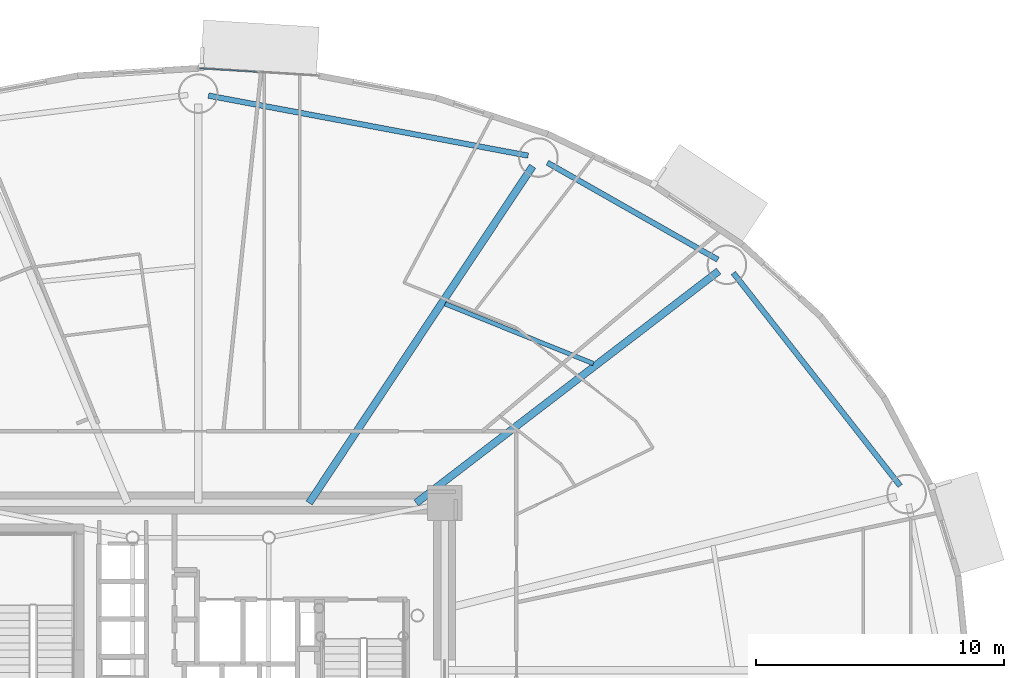
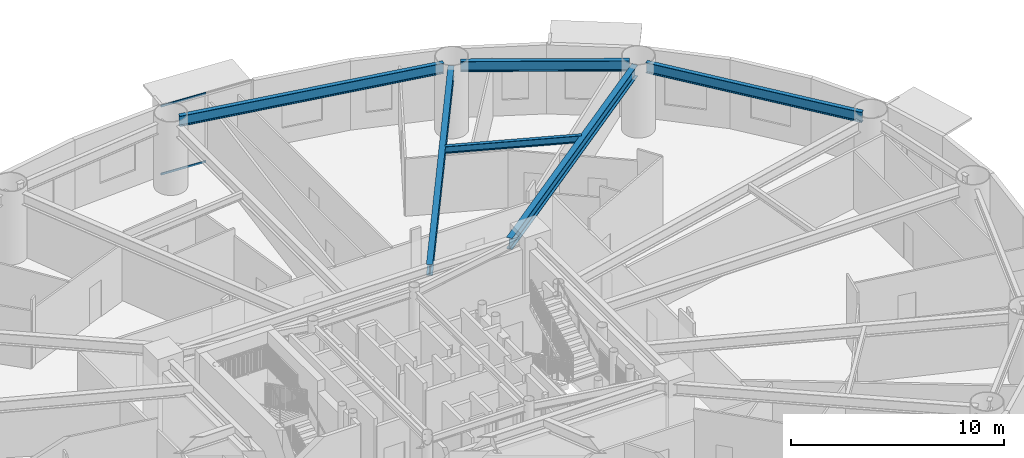
# One storey, part 5 of 21: 6 beams, 2 members, 1 element without a shape of its own.
"""IFC4 building model written with IfcOpenShell, lengths in metres."""

from ifc_helpers import new_model, si_unit, direction, frame, origin, origin_2d, place, context, subcontext, project, spatial, hollow_rectangle, i_section, extrude, source, transform, mapped, material, layer, layer_set, material_profile, profile_set, type_object, element, aggregate, save


model = new_model("IFC4")

# Units and contexts
model_context = context("Model", 3, precision=1e-05, world=origin(), true_north=direction((0.0, 1.0)))
body_context = subcontext(model_context, "Body", "Model", "MODEL_VIEW")
ifc_project = project(units=[si_unit("LENGTHUNIT", "METRE"), si_unit("AREAUNIT", "SQUARE_METRE"), si_unit("VOLUMEUNIT", "CUBIC_METRE"), si_unit("PLANEANGLEUNIT", "RADIAN"), si_unit("MASSUNIT", "GRAM", prefix="KILO")], contexts=[model_context])

# Site, building, storey
site_placement = place(None, origin())
site = spatial("IfcSite", under=ifc_project, at=site_placement, CompositionType="ELEMENT")
building_placement = place(site_placement, origin())
building = spatial("IfcBuilding", under=site, at=building_placement, Name="Linh Dai School and Residence Tower", CompositionType="ELEMENT")
storey_placement = place(building_placement, frame((0.0, 0.0, 61.800048828125)))
storey = spatial("IfcBuildingStorey", under=building, at=storey_placement, Name="L14", CompositionType="ELEMENT", Elevation=61.800048828125)

# Beams
ifc_material_1 = material(Name="Structural Steel S355JR", Category="steel")
ifc_material_profile_1 = material_profile(ifc_material_1, i_section(OverallWidth=0.219970703125, OverallDepth=0.60009765625, WebThickness=0.011962890625, FlangeThickness=0.01904296875, FilletRadius=0.02392578125, at=origin_2d()), Name="IPE 600")
ifc_profile_set_1 = profile_set([ifc_material_profile_1], Name="Structural Steel S355JR")
beam_type_1 = type_object("IfcBeamType", Name="BM-RB60", PredefinedType="BEAM", material=ifc_profile_set_1)
beam_1_placement = place(storey_placement, frame((64.351806640625, 34.439208984375, 3.64990234375), z_axis=(-0.616878670407, 0.787058260866, 0.0), x_axis=(-0.787058260866, -0.616878670407, 0.0)))
element("IfcBeam", 1, at=beam_1_placement, inside=storey, type_object=beam_type_1, Name="L14 Perimeter Elliptical Ring Beam 02", PredefinedType="BEAM", context=body_context, shape_type="SweptSolid", body=[
    extrude(i_section(OverallWidth=0.219970703125, OverallDepth=0.60009765625, WebThickness=0.011962890625, FlangeThickness=0.01904296875, FilletRadius=0.02392578125, at=origin_2d()), origin(), (0.0, 0.0, 1.0), 10.926025390625),
])
beam_2_placement = place(storey_placement, frame((56.987548828125, 43.57666015625, 3.64990234375), z_axis=(-0.869271416992, 0.494335112653, 0.0), x_axis=(-0.494335112653, -0.869271416992, 0.0)))
element("IfcBeam", 2, at=beam_2_placement, inside=storey, type_object=beam_type_1, Name="L14 Perimeter Elliptical Ring Beam 03", PredefinedType="BEAM", context=body_context, shape_type="SweptSolid", body=[
    extrude(i_section(OverallWidth=0.219970703125, OverallDepth=0.60009765625, WebThickness=0.011962890625, FlangeThickness=0.01904296875, FilletRadius=0.02392578125, at=origin_2d()), origin(), (0.0, 0.0, 1.0), 7.91943359375),
])
beam_3_placement = place(storey_placement, frame((49.32568359375, 47.776611328125, 3.64990234375), z_axis=(-0.982808389171, 0.184628465236, 0.0), x_axis=(-0.184628465236, -0.982808389171, 0.0)))
element("IfcBeam", 3, at=beam_3_placement, inside=storey, type_object=beam_type_1, Name="L14 Perimeter Elliptical Ring Beam 04", PredefinedType="BEAM", context=body_context, shape_type="SweptSolid", body=[
    extrude(i_section(OverallWidth=0.219970703125, OverallDepth=0.60009765625, WebThickness=0.011962890625, FlangeThickness=0.01904296875, FilletRadius=0.02392578125, at=origin_2d()), origin(), (0.0, 0.0, 1.0), 13.138671875),
])
ifc_material_profile_2 = material_profile(ifc_material_1, i_section(OverallWidth=0.300048828125, OverallDepth=0.64990234375, WebThickness=0.01611328125, FlangeThickness=0.031005859375, FilletRadius=0.027099609375, at=origin_2d()), Name="HEB 650")
ifc_profile_set_2 = profile_set([ifc_material_profile_2], Name="Structural Steel S355JR")
beam_type_2 = type_object("IfcBeamType", Name="BM-RG65", PredefinedType="BEAM", material=ifc_profile_set_2)
beam_4_placement = place(storey_placement, frame((44.804931640625, 33.75, 3.625), z_axis=(0.793637764155, 0.608390581212, 0.0), x_axis=(-0.608390581212, 0.793637764155, 0.0)))
element("IfcBeam", 4, at=beam_4_placement, inside=storey, type_object=beam_type_2, Name="L14 Primary Radial Floor Girder 03", PredefinedType="BEAM", context=body_context, shape_type="SweptSolid", body=[
    extrude(i_section(OverallWidth=0.300048828125, OverallDepth=0.64990234375, WebThickness=0.01611328125, FlangeThickness=0.031005859375, FilletRadius=0.027099609375, at=origin_2d()), origin(), (0.0, 0.0, 1.0), 15.390625),
])
beam_5_placement = place(storey_placement, frame((40.47998046875, 33.75, 3.625), z_axis=(0.55300421354, 0.833178456158, 0.0), x_axis=(-0.833178456158, 0.55300421354, 0.0)))
element("IfcBeam", 5, at=beam_5_placement, inside=storey, type_object=beam_type_2, Name="L14 Primary Radial Floor Girder 04", PredefinedType="BEAM", context=body_context, shape_type="SweptSolid", body=[
    extrude(i_section(OverallWidth=0.300048828125, OverallDepth=0.64990234375, WebThickness=0.01611328125, FlangeThickness=0.031005859375, FilletRadius=0.027099609375, at=origin_2d()), origin(), (0.0, 0.0, 1.0), 16.322021484375),
])
ifc_material_profile_3 = material_profile(ifc_material_1, i_section(OverallWidth=0.179931640625, OverallDepth=0.39990234375, WebThickness=0.008544921875, FlangeThickness=0.013427734375, FilletRadius=0.02099609375, at=origin_2d()), Name="IPE 400")
ifc_profile_set_3 = profile_set([ifc_material_profile_3], Name="Structural Steel S355JR")
beam_type_3 = type_object("IfcBeamType", Name="BM-SB40", PredefinedType="BEAM", material=ifc_profile_set_3)
beam_6_placement = place(storey_placement, frame((51.962158203125, 39.377685546875, 3.75), z_axis=(-0.927532778422, 0.3737418159, 0.0), x_axis=(-0.3737418159, -0.927532778422, 0.0)))
element("IfcBeam", 6, at=beam_6_placement, inside=storey, type_object=beam_type_3, Name="L14 Secondary Circumferential Floor Beam 02", PredefinedType="BEAM", context=body_context, shape_type="SweptSolid", body=[
    extrude(i_section(OverallWidth=0.179931640625, OverallDepth=0.39990234375, WebThickness=0.008544921875, FlangeThickness=0.013427734375, FilletRadius=0.02099609375, at=origin_2d()), origin(), (0.0, 0.0, 1.0), 6.459716796875),
])

# Curtain wall, members
ifc_material_2 = material(Name="Aluminium Anodised Curtain Wall", Category="aluminium")
ifc_layer = layer(ifc_material_2, 0.14990234375)
ifc_layer_set = layer_set([ifc_layer], Name="Aluminium Anodised Curtain Wall")
curtain_wall_type = type_object("IfcCurtainWallType", Name="CW-SYS-4", PredefinedType="USERDEFINED", material=ifc_layer_set)
curtain_wall_placement = place(storey_placement, origin())
curtain_wall = element("IfcCurtainWall", 7, at=curtain_wall_placement, inside=storey, type_object=curtain_wall_type, Name="L14 CW4 Curtain Wall 10", ObjectType="RIBBON CURTAIN WALL", PredefinedType="USERDEFINED")
ifc_material_3 = material(Name="Aluminium Alloy 6063-T6", Category="aluminium")
ifc_material_profile_4 = material_profile(ifc_material_3, hollow_rectangle(XDim=0.052001953125, YDim=0.114990234375, WallThickness=0.00390625, at=origin_2d()), Name="RHS 115x52x4")
ifc_profile_set_4 = profile_set([ifc_material_profile_4], Name="Aluminium Alloy 6063-T6")
member_type = type_object("IfcMemberType", Name="CW-SYS-4-TRN", PredefinedType="USERDEFINED", material=ifc_profile_set_4)
shared_shape = source(origin(), body_context, "Body", "SweptSolid", [
    extrude(hollow_rectangle(XDim=0.052001953125, YDim=0.114990234375, WallThickness=0.00390625, at=origin_2d()), origin(), (0.0, 0.0, 1.0), 2.359130859375),
])
member_1_placement = place(storey_placement, frame((36.052001953125, 51.3017578125, 0.02587890625), z_axis=(0.99810894067, -0.061469850778, 0.0), x_axis=(0.061469850778, 0.99810894067, 0.0)))
member_1 = element("IfcMember", 8, at=member_1_placement, type_object=member_type, Name="CW4 transom 1.1", ObjectType="TRANSOM", PredefinedType="USERDEFINED", context=body_context, shape_type="MappedRepresentation", body=[
    mapped(shared_shape, transform((0.0, 0.0, 0.0), x_axis=(1.0, 0.0, 0.0), y_axis=(0.0, 1.0, 0.0), z_axis=(0.0, 0.0, 1.0), scale=1.0)),
])
member_2_placement = place(storey_placement, frame((36.052001953125, 51.3017578125, 3.924072265625), z_axis=(0.99810894067, -0.061469850778, 0.0), x_axis=(0.061469850778, 0.99810894067, 0.0)))
member_2 = element("IfcMember", 9, at=member_2_placement, type_object=member_type, Name="CW4 transom 1.2", ObjectType="TRANSOM", PredefinedType="USERDEFINED", context=body_context, shape_type="MappedRepresentation", body=[
    mapped(shared_shape, transform((0.0, 0.0, 0.0), x_axis=(1.0, 0.0, 0.0), y_axis=(0.0, 1.0, 0.0), z_axis=(0.0, 0.0, 1.0), scale=1.0)),
])
aggregate(curtain_wall, [member_1, member_2])

save(model, "model.ifc")
